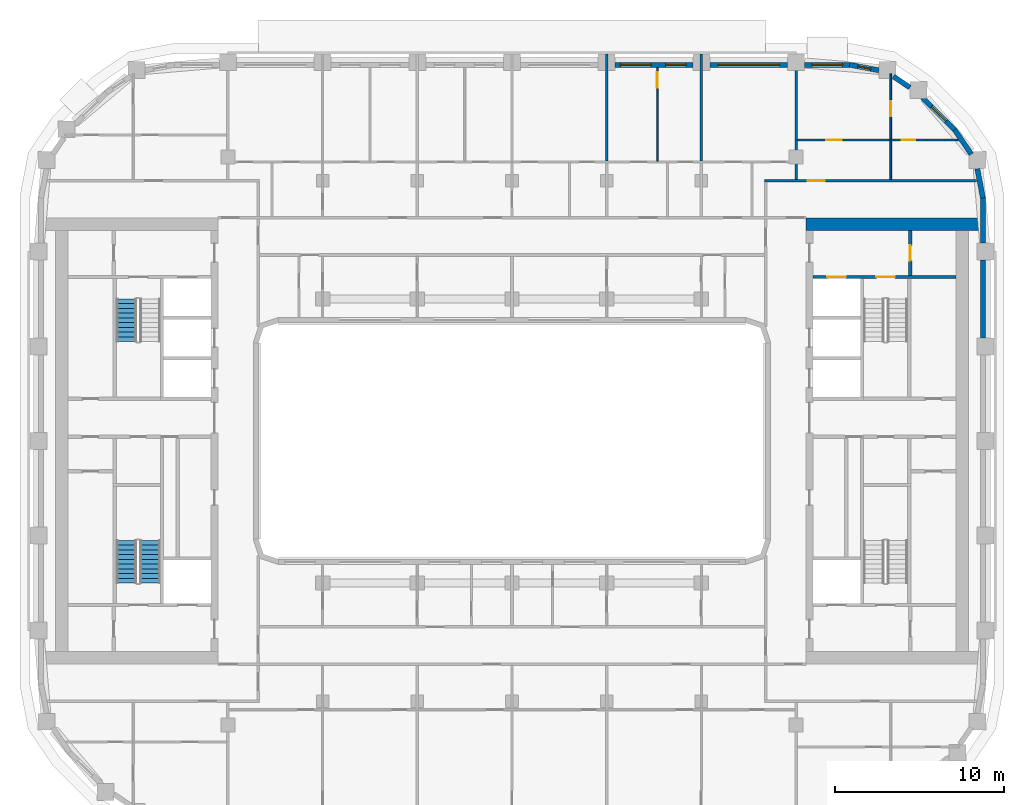
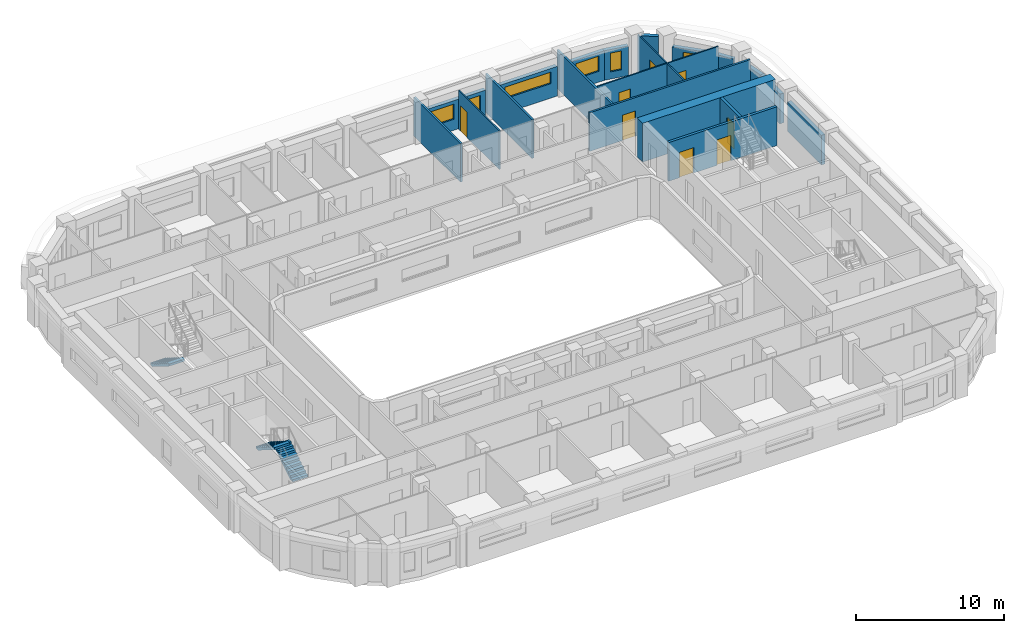
# One storey, part 9 of 22: 21 walls, 8 doors, 6 windows, 3 stair flights, 14 openings, 2 elements without a shape of their own.
"""IFC4 building model written with IfcOpenShell, lengths in metres."""

from ifc_helpers import new_model, si_unit, direction, frame, frame_2d, origin, place, context, subcontext, project, spatial, polyline, rectangle, outline, extrude, material, layer, layer_set, type_object, element, fill, aggregate, save


model = new_model("IFC4")

# Units and contexts
model_context = context("Model", 3, precision=1e-05, world=origin(), true_north=direction((0.0, 1.0)))
body_context = subcontext(model_context, "Body", "Model", "MODEL_VIEW")
ifc_project = project(units=[si_unit("LENGTHUNIT", "METRE"), si_unit("AREAUNIT", "SQUARE_METRE"), si_unit("VOLUMEUNIT", "CUBIC_METRE"), si_unit("PLANEANGLEUNIT", "RADIAN"), si_unit("MASSUNIT", "GRAM", prefix="KILO")], contexts=[model_context])

# Site, building, storey
site_placement = place(None, origin())
site = spatial("IfcSite", under=ifc_project, at=site_placement, CompositionType="ELEMENT")
building_placement = place(site_placement, origin())
building = spatial("IfcBuilding", under=site, at=building_placement, Name="Kiln Ring Residences", CompositionType="ELEMENT")
storey_placement = place(building_placement, frame((0.0, 0.0, 167.60009765625)))
storey = spatial("IfcBuildingStorey", under=building, at=storey_placement, Name="L43", CompositionType="ELEMENT", Elevation=167.60009765625)

# Wall, opening, door
ifc_material_1 = material(Name="Gypsum board on steel studs", Category="steel")
ifc_layer_1 = layer(ifc_material_1, 0.199951171875)
ifc_layer_set_1 = layer_set([ifc_layer_1], Name="CORE-PARTITION-200")
wall_type_1 = type_object("IfcWallType", Name="CORE-PARTITION-200", PredefinedType="PARTITIONING", material=ifc_layer_set_1)
wall_1_placement = place(storey_placement, frame((23.550048828125, 9.800048828125, 0.0), z_axis=(0.0, 0.0, 1.0), x_axis=(0.0, 1.0, 0.0)))
wall_1 = element("IfcWall", 1, at=wall_1_placement, inside=storey, type_object=wall_type_1, Name="Core partition east L43 4", PredefinedType="PARTITIONING", context=body_context, shape_type="SweptSolid", body=[
    extrude(rectangle(XDim=2.64990234375, YDim=0.199951171875, at=frame_2d((1.324951171875, 0.0))), origin(), (0.0, 0.0, 1.0), 3.199951171875),
])
opening_1_placement = place(wall_1_placement, frame((0.875, 0.0, 0.0)))
opening_1 = element("IfcOpeningElement", 2, at=opening_1_placement, cuts=wall_1, Name="Opening L43-CE09", PredefinedType="OPENING", context=body_context, shape_type="SweptSolid", body=[
    extrude(rectangle(XDim=0.89990234375, YDim=2.10009765625, at=frame_2d((0.449951171875, 1.050048828125))), frame((0.0, 0.10986328125, 0.0), z_axis=(0.0, -1.0, 0.0), x_axis=(1.0, 0.0, 0.0)), (0.0, 0.0, 1.0), 0.219970703125),
])
ifc_material_2 = material(Name="Steel door leaf", Category="steel")
door_type_1 = type_object("IfcDoorType", Name="CORE-DOOR-ROOM", OperationType="SINGLE_SWING_LEFT", PredefinedType="DOOR", material=ifc_material_2)
door_1_placement = place(opening_1_placement, origin())
door_1 = element("IfcDoor", 3, at=door_1_placement, inside=storey, type_object=door_type_1, Name="Fire riser room L43-CE09", OperationType="SINGLE_SWING_RIGHT", OverallHeight=2.10009765625, OverallWidth=0.89990234375, PredefinedType="DOOR", context=body_context, shape_type="SweptSolid", body=[
    extrude(rectangle(XDim=0.89990234375, YDim=2.10009765625, at=frame_2d((0.449951171875, 1.050048828125))), frame((0.0, 0.02490234375, 0.0), z_axis=(0.0, -1.0, 0.0), x_axis=(1.0, 0.0, 0.0)), (0.0, 0.0, 1.0), 0.050048828125),
])
fill(opening_1, door_1)

# Wall, openings, doors
ifc_material_3 = material(Name="Concrete C40/50", Category="concrete")
ifc_layer_2 = layer(ifc_material_3, 0.199951171875)
ifc_layer_set_2 = layer_set([ifc_layer_2], Name="CORE-WALL-RC200")
wall_type_2 = type_object("IfcWallType", Name="CORE-WALL-RC200", PredefinedType="SHEAR", material=ifc_layer_set_2)
wall_2_placement = place(storey_placement, frame((17.800048828125, 9.699951171875, 0.0), z_axis=(0.0, 0.0, 1.0), x_axis=(1.0, 0.0, 0.0)))
wall_2 = element("IfcWall", 4, at=wall_2_placement, inside=storey, type_object=wall_type_2, Name="Core wall east L43 9", PredefinedType="SHEAR", context=body_context, shape_type="SweptSolid", body=[
    extrude(rectangle(XDim=8.449951171875, YDim=0.199951171875, at=frame_2d((4.22509765625, 0.0))), origin(), (0.0, 0.0, 1.0), 3.199951171875),
])
opening_2_placement = place(wall_2_placement, frame((0.85009765625, 0.0, 0.0)))
opening_2 = element("IfcOpeningElement", 5, at=opening_2_placement, cuts=wall_2, Name="Opening L43-CE06", PredefinedType="OPENING", context=body_context, shape_type="SweptSolid", body=[
    extrude(rectangle(XDim=1.10009765625, YDim=2.10009765625, at=frame_2d((0.550048828125, 1.050048828125))), frame((0.0, 0.10986328125, 0.0), z_axis=(0.0, -1.0, 0.0), x_axis=(1.0, 0.0, 0.0)), (0.0, 0.0, 1.0), 0.219970703125),
])
opening_3_placement = place(wall_2_placement, frame((3.75, 0.0, 0.0)))
opening_3 = element("IfcOpeningElement", 6, at=opening_3_placement, cuts=wall_2, Name="Opening L43-CE11", PredefinedType="OPENING", context=body_context, shape_type="SweptSolid", body=[
    extrude(rectangle(XDim=1.10009765625, YDim=2.10009765625, at=frame_2d((0.550048828125, 1.050048828125))), frame((0.0, 0.10986328125, 0.0), z_axis=(0.0, -1.0, 0.0), x_axis=(1.0, 0.0, 0.0)), (0.0, 0.0, 1.0), 0.219970703125),
])
ifc_material_4 = material(Name="Steel door leaf", Category="steel")
door_type_2 = type_object("IfcDoorType", Name="CORE-DOOR-LD", OperationType="DOUBLE_DOOR_SLIDING", PredefinedType="DOOR", material=ifc_material_4)
door_2_placement = place(opening_2_placement, origin())
door_2 = element("IfcDoor", 7, at=door_2_placement, inside=storey, type_object=door_type_2, Name="LD E-FF L43-CE06", OperationType="DOUBLE_DOOR_SLIDING", OverallHeight=2.10009765625, OverallWidth=1.10009765625, PredefinedType="DOOR", context=body_context, shape_type="SweptSolid", body=[
    extrude(rectangle(XDim=1.10009765625, YDim=2.10009765625, at=frame_2d((0.550048828125, 1.050048828125))), frame((0.0, 0.02490234375, 0.0), z_axis=(0.0, -1.0, 0.0), x_axis=(1.0, 0.0, 0.0)), (0.0, 0.0, 1.0), 0.050048828125),
])
fill(opening_2, door_2)
ifc_material_5 = material(Name="Steel door leaf", Category="steel")
door_type_3 = type_object("IfcDoorType", Name="CORE-DOOR-STAIR", OperationType="SINGLE_SWING_LEFT", PredefinedType="DOOR", material=ifc_material_5)
door_3_placement = place(opening_3_placement, origin())
door_3 = element("IfcDoor", 8, at=door_3_placement, inside=storey, type_object=door_type_3, Name="Stair E-STN L43-CE11", OperationType="SINGLE_SWING_RIGHT", OverallHeight=2.10009765625, OverallWidth=1.10009765625, PredefinedType="DOOR", context=body_context, shape_type="SweptSolid", body=[
    extrude(rectangle(XDim=1.10009765625, YDim=2.10009765625, at=frame_2d((0.550048828125, 1.050048828125))), frame((0.0, 0.02490234375, 0.0), z_axis=(0.0, -1.0, 0.0), x_axis=(1.0, 0.0, 0.0)), (0.0, 0.0, 1.0), 0.050048828125),
])
fill(opening_3, door_3)

# Walls
ifc_material_6 = material(Name="Concrete C60/75", Category="concrete")
ifc_layer_3 = layer(ifc_material_6, 0.75)
ifc_layer_set_3 = layer_set([ifc_layer_3], Name="CORE-WALL-RC750")
wall_type_3 = type_object("IfcWallType", Name="CORE-WALL-RC750", PredefinedType="SHEAR", material=ifc_layer_set_3)
wall_3_placement = place(storey_placement, frame((17.39990234375, 12.824951171875, 0.0), z_axis=(0.0, 0.0, 1.0), x_axis=(1.0, 0.0, 0.0)))
element("IfcWall", 9, at=wall_3_placement, inside=storey, type_object=wall_type_3, Name="Core wall east L43 4", PredefinedType="SHEAR", context=body_context, shape_type="SweptSolid", body=[
    extrude(rectangle(XDim=10.400146484375, YDim=0.75, at=frame_2d((5.2001953125, 0.0))), origin(), (0.0, 0.0, 1.0), 3.199951171875),
])
ifc_material_7 = material(Name="Brick masonry, dark clay brick", Category="masonry")
ifc_layer_4 = layer(ifc_material_7, 0.300048828125)
ifc_layer_set_4 = layer_set([ifc_layer_4], Name="EW-300 BRICK WALL")
wall_type_4 = type_object("IfcWallType", Name="EW-300 BRICK WALL", PredefinedType="SOLIDWALL", material=ifc_layer_set_4)
wall_4_placement = place(storey_placement, frame((27.85009765625, 6.10009765625, 0.0), z_axis=(0.0, 0.0, 1.0), x_axis=(0.0, 1.0, 0.0)))
element("IfcWall", 10, at=wall_4_placement, inside=storey, type_object=wall_type_4, Name="Facade wall L43 21", PredefinedType="SOLIDWALL", context=body_context, shape_type="SweptSolid", body=[
    extrude(rectangle(XDim=4.599853515625, YDim=0.300048828125, at=frame_2d((2.2998046875, 0.0))), origin(), (0.0, 0.0, 1.0), 2.449951171875),
])
wall_5_placement = place(storey_placement, frame((27.85009765625, 11.699951171875, 0.0), z_axis=(0.0, 0.0, 1.0), x_axis=(0.0, 1.0, 0.0)))
element("IfcWall", 11, at=wall_5_placement, inside=storey, type_object=wall_type_4, Name="Facade wall L43 22", PredefinedType="SOLIDWALL", context=body_context, shape_type="SweptSolid", body=[
    extrude(rectangle(XDim=2.699951171875, YDim=0.300048828125, at=frame_2d((1.35009765625, 0.0))), origin(), (0.0, 0.0, 1.0), 2.449951171875),
])
for number, where, z_axis, x_axis, name in (
    (12, (27.8525390625, 14.371826171875, 0.0), (0.0, 0.0, 1.0), (-0.187259034321, 0.982310569049, 0.0), "Facade wall L43 23"),
    (13, (27.166015625, 16.96044921875, 0.0), (0.0, 0.0, 1.0), (-0.562089443061, 0.82707645233, 0.0), "Facade wall L43 24"),
):
    element("IfcWall", number, at=place(storey_placement, frame(where, z_axis=z_axis, x_axis=x_axis)), inside=storey, type_object=wall_type_4, Name=name, PredefinedType="SOLIDWALL", context=body_context, shape_type="SweptSolid", body=[
        extrude(rectangle(XDim=1.756103515625, YDim=0.300048828125, at=frame_2d((0.8779296875, 0.0))), origin(), (0.0, 0.0, 1.0), 2.449951171875),
    ])

# Wall, opening, window
wall_6_placement = place(storey_placement, frame((26.19677734375, 18.390869140625, 0.0), z_axis=(0.0, 0.0, 1.0), x_axis=(-0.707061571201, 0.707151988282, 0.0)))
wall_6 = element("IfcWall", 14, at=wall_6_placement, inside=storey, type_object=wall_type_4, Name="Facade wall L43 25", PredefinedType="SOLIDWALL", context=body_context, shape_type="SweptSolid", body=[
    extrude(rectangle(XDim=2.7001953125, YDim=0.300048828125, at=frame_2d((1.35009765625, 0.0))), origin(), (0.0, 0.0, 1.0), 2.449951171875),
])
opening_4_placement = place(wall_6_placement, frame((0.75, 0.0, 0.60009765625)))
opening_4 = element("IfcOpeningElement", 15, at=opening_4_placement, cuts=wall_6, Name="Opening W1", PredefinedType="OPENING", context=body_context, shape_type="SweptSolid", body=[
    extrude(rectangle(XDim=1.199951171875, YDim=1.550048828125, at=frame_2d((0.60009765625, 0.77490234375))), frame((0.0, 0.159912109375, 0.0), z_axis=(0.0, -1.0, 0.0), x_axis=(1.0, 0.0, 0.0)), (0.0, 0.0, 1.0), 0.320068359375),
])
ifc_material_8 = material(Name="Aluminium frame with double glazing", Category="aluminium")
window_type_1 = type_object("IfcWindowType", Name="WINDOW 1200 x 1550", PartitioningType="SINGLE_PANEL", PredefinedType="WINDOW", material=ifc_material_8)
window_1_placement = place(opening_4_placement, origin())
window_1 = element("IfcWindow", 16, at=window_1_placement, inside=storey, type_object=window_type_1, Name="Window L43 14", OverallHeight=1.550048828125, OverallWidth=1.199951171875, PartitioningType="SINGLE_PANEL", PredefinedType="WINDOW", context=body_context, shape_type="SweptSolid", body=[
    extrude(rectangle(XDim=1.199951171875, YDim=1.550048828125, at=frame_2d((0.60009765625, 0.77490234375))), frame((0.0, 0.030029296875, 0.0), z_axis=(0.0, -1.0, 0.0), x_axis=(1.0, 0.0, 0.0)), (0.0, 0.0, 1.0), 0.06005859375),
])
fill(opening_4, window_1)

# Wall
wall_7_placement = place(storey_placement, frame((23.533935546875, 20.904296875, 0.0), z_axis=(0.0, 0.0, 1.0), x_axis=(-0.827103906596, 0.56204904385, 0.0)))
element("IfcWall", 17, at=wall_7_placement, inside=storey, type_object=wall_type_4, Name="Facade wall L43 26", PredefinedType="SOLIDWALL", context=body_context, shape_type="SweptSolid", body=[
    extrude(rectangle(XDim=1.17724609375, YDim=0.300048828125, at=frame_2d((0.588623046875, 0.0))), origin(), (0.0, 0.0, 1.0), 3.199951171875),
])

# Wall, opening, window
wall_8_placement = place(storey_placement, frame((21.697021484375, 21.923583984375, 0.0), z_axis=(0.0, 0.0, 1.0), x_axis=(-0.982284988433, 0.187393173565, 0.0)))
wall_8 = element("IfcWall", 18, at=wall_8_placement, inside=storey, type_object=wall_type_4, Name="Facade wall L43 27", PredefinedType="SOLIDWALL", context=body_context, shape_type="SweptSolid", body=[
    extrude(rectangle(XDim=1.756103515625, YDim=0.300048828125, at=frame_2d((0.8779296875, 0.0))), origin(), (0.0, 0.0, 1.0), 2.449951171875),
])
opening_5_placement = place(wall_8_placement, frame((0.47802734375, 0.0, 0.60009765625)))
opening_5 = element("IfcOpeningElement", 19, at=opening_5_placement, cuts=wall_8, Name="Opening W5", PredefinedType="OPENING", context=body_context, shape_type="SweptSolid", body=[
    extrude(rectangle(XDim=0.800048828125, YDim=1.550048828125, at=frame_2d((0.39990234375, 0.77490234375))), frame((0.0, 0.159912109375, 0.0), z_axis=(0.0, -1.0, 0.0), x_axis=(1.0, 0.0, 0.0)), (0.0, 0.0, 1.0), 0.320068359375),
])
ifc_material_9 = material(Name="Aluminium frame with double glazing", Category="aluminium")
window_type_2 = type_object("IfcWindowType", Name="WINDOW 800 x 1550", PartitioningType="SINGLE_PANEL", PredefinedType="WINDOW", material=ifc_material_9)
window_2_placement = place(opening_5_placement, origin())
window_2 = element("IfcWindow", 20, at=window_2_placement, inside=storey, type_object=window_type_2, Name="Window L43 15", OverallHeight=1.550048828125, OverallWidth=0.800048828125, PartitioningType="SINGLE_PANEL", PredefinedType="WINDOW", context=body_context, shape_type="SweptSolid", body=[
    extrude(rectangle(XDim=0.800048828125, YDim=1.550048828125, at=frame_2d((0.39990234375, 0.77490234375))), frame((0.0, 0.030029296875, 0.0), z_axis=(0.0, -1.0, 0.0), x_axis=(1.0, 0.0, 0.0)), (0.0, 0.0, 1.0), 0.06005859375),
])
fill(opening_5, window_2)

wall_9_placement = place(storey_placement, frame((20.0, 22.25, 0.0), z_axis=(0.0, 0.0, 1.0), x_axis=(-1.0, 0.0, 0.0)))
wall_9 = element("IfcWall", 21, at=wall_9_placement, inside=storey, type_object=wall_type_4, Name="Facade wall L43 28", PredefinedType="SOLIDWALL", context=body_context, shape_type="SweptSolid", body=[
    extrude(rectangle(XDim=2.699951171875, YDim=0.300048828125, at=frame_2d((1.35009765625, 0.0))), origin(), (0.0, 0.0, 1.0), 2.449951171875),
])
opening_6_placement = place(wall_9_placement, frame((0.449951171875, 0.0, 0.89990234375)))
opening_6 = element("IfcOpeningElement", 22, at=opening_6_placement, cuts=wall_9, Name="Opening W2", PredefinedType="OPENING", context=body_context, shape_type="SweptSolid", body=[
    extrude(rectangle(XDim=1.800048828125, YDim=1.25, at=frame_2d((0.89990234375, 0.625))), frame((0.0, 0.159912109375, 0.0), z_axis=(0.0, -1.0, 0.0), x_axis=(1.0, 0.0, 0.0)), (0.0, 0.0, 1.0), 0.320068359375),
])
ifc_material_10 = material(Name="Aluminium frame with double glazing", Category="aluminium")
window_type_3 = type_object("IfcWindowType", Name="WINDOW 1800 x 1250", PartitioningType="SINGLE_PANEL", PredefinedType="WINDOW", material=ifc_material_10)
window_3_placement = place(opening_6_placement, origin())
window_3 = element("IfcWindow", 23, at=window_3_placement, inside=storey, type_object=window_type_3, Name="Window L43 16", OverallHeight=1.25, OverallWidth=1.800048828125, PartitioningType="SINGLE_PANEL", PredefinedType="WINDOW", context=body_context, shape_type="SweptSolid", body=[
    extrude(rectangle(XDim=1.800048828125, YDim=1.25, at=frame_2d((0.89990234375, 0.625))), frame((0.0, 0.030029296875, 0.0), z_axis=(0.0, -1.0, 0.0), x_axis=(1.0, 0.0, 0.0)), (0.0, 0.0, 1.0), 0.06005859375),
])
fill(opening_6, window_3)

wall_10_placement = place(storey_placement, frame((16.300048828125, 22.25, 0.0), z_axis=(0.0, 0.0, 1.0), x_axis=(-1.0, 0.0, 0.0)))
wall_10 = element("IfcWall", 24, at=wall_10_placement, inside=storey, type_object=wall_type_4, Name="Facade wall L43 29", PredefinedType="SOLIDWALL", context=body_context, shape_type="SweptSolid", body=[
    extrude(rectangle(XDim=4.60009765625, YDim=0.300048828125, at=frame_2d((2.300048828125, 0.0))), origin(), (0.0, 0.0, 1.0), 2.449951171875),
])
opening_7_placement = place(wall_10_placement, frame((0.5, 0.0, 1.199951171875)))
opening_7 = element("IfcOpeningElement", 25, at=opening_7_placement, cuts=wall_10, Name="Opening W4", PredefinedType="OPENING", context=body_context, shape_type="SweptSolid", body=[
    extrude(rectangle(XDim=3.60009765625, YDim=0.949951171875, at=frame_2d((1.800048828125, 0.47509765625))), frame((0.0, 0.159912109375, 0.0), z_axis=(0.0, -1.0, 0.0), x_axis=(1.0, 0.0, 0.0)), (0.0, 0.0, 1.0), 0.320068359375),
])
ifc_material_11 = material(Name="Aluminium frame with double glazing", Category="aluminium")
window_type_4 = type_object("IfcWindowType", Name="WINDOW 3600 x 950", PartitioningType="SINGLE_PANEL", PredefinedType="WINDOW", material=ifc_material_11)
window_4_placement = place(opening_7_placement, origin())
window_4 = element("IfcWindow", 26, at=window_4_placement, inside=storey, type_object=window_type_4, Name="Window L43 17", OverallHeight=0.949951171875, OverallWidth=3.60009765625, PartitioningType="SINGLE_PANEL", PredefinedType="WINDOW", context=body_context, shape_type="SweptSolid", body=[
    extrude(rectangle(XDim=3.60009765625, YDim=0.949951171875, at=frame_2d((1.800048828125, 0.47509765625))), frame((0.0, 0.030029296875, 0.0), z_axis=(0.0, -1.0, 0.0), x_axis=(1.0, 0.0, 0.0)), (0.0, 0.0, 1.0), 0.06005859375),
])
fill(opening_7, window_4)

# Wall, openings, windows
wall_11_placement = place(storey_placement, frame((10.699951171875, 22.25, 0.0), z_axis=(0.0, 0.0, 1.0), x_axis=(-1.0, 0.0, 0.0)))
wall_11 = element("IfcWall", 27, at=wall_11_placement, inside=storey, type_object=wall_type_4, Name="Facade wall L43 30", PredefinedType="SOLIDWALL", context=body_context, shape_type="SweptSolid", body=[
    extrude(rectangle(XDim=4.599853515625, YDim=0.300048828125, at=frame_2d((2.2998046875, 0.0))), origin(), (0.0, 0.0, 1.0), 2.449951171875),
])
opening_8_placement = place(wall_11_placement, frame((0.41259765625, 0.0, 0.60009765625)))
opening_8 = element("IfcOpeningElement", 28, at=opening_8_placement, cuts=wall_11, Name="Opening W1", PredefinedType="OPENING", context=body_context, shape_type="SweptSolid", body=[
    extrude(rectangle(XDim=1.199951171875, YDim=1.550048828125, at=frame_2d((0.60009765625, 0.77490234375))), frame((0.0, 0.159912109375, 0.0), z_axis=(0.0, -1.0, 0.0), x_axis=(1.0, 0.0, 0.0)), (0.0, 0.0, 1.0), 0.320068359375),
])
opening_9_placement = place(wall_11_placement, frame((2.487548828125, 0.0, 0.89990234375)))
opening_9 = element("IfcOpeningElement", 29, at=opening_9_placement, cuts=wall_11, Name="Opening W2", PredefinedType="OPENING", context=body_context, shape_type="SweptSolid", body=[
    extrude(rectangle(XDim=1.800048828125, YDim=1.25, at=frame_2d((0.89990234375, 0.625))), frame((0.0, 0.159912109375, 0.0), z_axis=(0.0, -1.0, 0.0), x_axis=(1.0, 0.0, 0.0)), (0.0, 0.0, 1.0), 0.320068359375),
])
window_5_placement = place(opening_8_placement, origin())
window_5 = element("IfcWindow", 30, at=window_5_placement, inside=storey, type_object=window_type_1, Name="Window L43 18", OverallHeight=1.550048828125, OverallWidth=1.199951171875, PartitioningType="SINGLE_PANEL", PredefinedType="WINDOW", context=body_context, shape_type="SweptSolid", body=[
    extrude(rectangle(XDim=1.199951171875, YDim=1.550048828125, at=frame_2d((0.60009765625, 0.77490234375))), frame((0.0, 0.030029296875, 0.0), z_axis=(0.0, -1.0, 0.0), x_axis=(1.0, 0.0, 0.0)), (0.0, 0.0, 1.0), 0.06005859375),
])
fill(opening_8, window_5)
window_6_placement = place(opening_9_placement, origin())
window_6 = element("IfcWindow", 31, at=window_6_placement, inside=storey, type_object=window_type_3, Name="Window L43 19", OverallHeight=1.25, OverallWidth=1.800048828125, PartitioningType="SINGLE_PANEL", PredefinedType="WINDOW", context=body_context, shape_type="SweptSolid", body=[
    extrude(rectangle(XDim=1.800048828125, YDim=1.25, at=frame_2d((0.89990234375, 0.625))), frame((0.0, 0.030029296875, 0.0), z_axis=(0.0, -1.0, 0.0), x_axis=(1.0, 0.0, 0.0)), (0.0, 0.0, 1.0), 0.06005859375),
])
fill(opening_9, window_6)

# Wall, openings, doors
ifc_material_12 = material(Name="Gypsum board on steel studs", Category="steel")
ifc_layer_5 = layer(ifc_material_12, 0.10009765625)
ifc_layer_set_5 = layer_set([ifc_layer_5], Name="PARTITION-100")
wall_type_5 = type_object("IfcWallType", Name="PARTITION-100", PredefinedType="PARTITIONING", material=ifc_layer_set_5)
wall_12_placement = place(storey_placement, frame((16.875, 17.800048828125, 0.0), z_axis=(0.0, 0.0, 1.0), x_axis=(1.0, 0.0, 0.0)))
wall_12 = element("IfcWall", 32, at=wall_12_placement, inside=storey, type_object=wall_type_5, Name="Partition 012", PredefinedType="PARTITIONING", context=body_context, shape_type="SweptSolid", body=[
    extrude(rectangle(XDim=9.51904296875, YDim=0.10009765625, at=frame_2d((4.759521484375, 0.0))), origin(), (0.0, 0.0, 1.0), 3.199951171875),
])
opening_10_placement = place(wall_12_placement, frame((6.175048828125, 0.0, 0.0)))
opening_10 = element("IfcOpeningElement", 33, at=opening_10_placement, cuts=wall_12, Name="Opening L43-D037", PredefinedType="OPENING", context=body_context, shape_type="SweptSolid", body=[
    extrude(rectangle(XDim=0.800048828125, YDim=2.10009765625, at=frame_2d((0.39990234375, 1.050048828125))), frame((0.0, 0.06005859375, 0.0), z_axis=(0.0, -1.0, 0.0), x_axis=(1.0, 0.0, 0.0)), (0.0, 0.0, 1.0), 0.1201171875),
])
opening_11_placement = place(wall_12_placement, frame((1.72509765625, 0.0, 0.0)))
opening_11 = element("IfcOpeningElement", 34, at=opening_11_placement, cuts=wall_12, Name="Opening L43-D038", PredefinedType="OPENING", context=body_context, shape_type="SweptSolid", body=[
    extrude(rectangle(XDim=0.89990234375, YDim=2.10009765625, at=frame_2d((0.449951171875, 1.050048828125))), frame((0.0, 0.06005859375, 0.0), z_axis=(0.0, -1.0, 0.0), x_axis=(1.0, 0.0, 0.0)), (0.0, 0.0, 1.0), 0.1201171875),
])
ifc_material_13 = material(Name="Timber door leaf", Category="wood")
door_type_4 = type_object("IfcDoorType", Name="FLAT-DOOR-800-PL", OperationType="SINGLE_SWING_LEFT", PredefinedType="DOOR", material=ifc_material_13)
door_4_placement = place(opening_10_placement, origin())
door_4 = element("IfcDoor", 35, at=door_4_placement, inside=storey, type_object=door_type_4, Name="Door L43-D037", OperationType="SINGLE_SWING_LEFT", OverallHeight=2.10009765625, OverallWidth=0.800048828125, PredefinedType="DOOR", context=body_context, shape_type="SweptSolid", body=[
    extrude(rectangle(XDim=0.800048828125, YDim=2.10009765625, at=frame_2d((0.39990234375, 1.050048828125))), frame((0.0, 0.02490234375, 0.0), z_axis=(0.0, -1.0, 0.0), x_axis=(1.0, 0.0, 0.0)), (0.0, 0.0, 1.0), 0.050048828125),
])
fill(opening_10, door_4)
ifc_material_14 = material(Name="Timber door leaf", Category="wood")
door_type_5 = type_object("IfcDoorType", Name="FLAT-DOOR-900-PL", OperationType="SINGLE_SWING_LEFT", PredefinedType="DOOR", material=ifc_material_14)
door_5_placement = place(opening_11_placement, origin())
door_5 = element("IfcDoor", 36, at=door_5_placement, inside=storey, type_object=door_type_5, Name="Door L43-D038", OperationType="SINGLE_SWING_RIGHT", OverallHeight=2.10009765625, OverallWidth=0.89990234375, PredefinedType="DOOR", context=body_context, shape_type="SweptSolid", body=[
    extrude(rectangle(XDim=0.89990234375, YDim=2.10009765625, at=frame_2d((0.449951171875, 1.050048828125))), frame((0.0, 0.02490234375, 0.0), z_axis=(0.0, -1.0, 0.0), x_axis=(1.0, 0.0, 0.0)), (0.0, 0.0, 1.0), 0.050048828125),
])
fill(opening_11, door_5)

# Wall, opening, door
wall_13_placement = place(storey_placement, frame((8.60009765625, 16.550048828125, 0.0), z_axis=(0.0, 0.0, 1.0), x_axis=(0.0, 1.0, 0.0)))
wall_13 = element("IfcWall", 37, at=wall_13_placement, inside=storey, type_object=wall_type_5, Name="Partition 055", PredefinedType="PARTITIONING", context=body_context, shape_type="SweptSolid", body=[
    extrude(rectangle(XDim=5.530029296875, YDim=0.10009765625, at=frame_2d((2.76513671875, 0.0))), origin(), (0.0, 0.0, 1.0), 3.199951171875),
])
opening_12_placement = place(wall_13_placement, frame((4.35009765625, 0.0, 0.0)))
opening_12 = element("IfcOpeningElement", 38, at=opening_12_placement, cuts=wall_13, Name="Opening L43-D032", PredefinedType="OPENING", context=body_context, shape_type="SweptSolid", body=[
    extrude(rectangle(XDim=0.89990234375, YDim=2.10009765625, at=frame_2d((0.449951171875, 1.050048828125))), frame((0.0, 0.06005859375, 0.0), z_axis=(0.0, -1.0, 0.0), x_axis=(1.0, 0.0, 0.0)), (0.0, 0.0, 1.0), 0.1201171875),
])
door_6_placement = place(opening_12_placement, origin())
door_6 = element("IfcDoor", 39, at=door_6_placement, inside=storey, type_object=door_type_5, Name="Door L43-D032", OperationType="SINGLE_SWING_RIGHT", OverallHeight=2.10009765625, OverallWidth=0.89990234375, PredefinedType="DOOR", context=body_context, shape_type="SweptSolid", body=[
    extrude(rectangle(XDim=0.89990234375, YDim=2.10009765625, at=frame_2d((0.449951171875, 1.050048828125))), frame((0.0, 0.02490234375, 0.0), z_axis=(0.0, -1.0, 0.0), x_axis=(1.0, 0.0, 0.0)), (0.0, 0.0, 1.0), 0.050048828125),
])
fill(opening_12, door_6)

# Wall
wall_14_placement = place(storey_placement, frame((22.39990234375, 15.47509765625, 0.0), z_axis=(0.0, 0.0, 1.0), x_axis=(0.0, 1.0, 0.0)))
element("IfcWall", 40, at=wall_14_placement, inside=storey, type_object=wall_type_5, Name="Partition 073", PredefinedType="PARTITIONING", context=body_context, shape_type="SweptSolid", body=[
    extrude(rectangle(XDim=2.27490234375, YDim=0.10009765625, at=frame_2d((1.137451171875, 0.0))), origin(), (0.0, 0.0, 1.0), 3.199951171875),
])

# Wall, opening, door
wall_15_placement = place(storey_placement, frame((22.39990234375, 17.85009765625, 0.0), z_axis=(0.0, 0.0, 1.0), x_axis=(0.0, 1.0, 0.0)))
wall_15 = element("IfcWall", 41, at=wall_15_placement, inside=storey, type_object=wall_type_5, Name="Partition 074", PredefinedType="PARTITIONING", context=body_context, shape_type="SweptSolid", body=[
    extrude(rectangle(XDim=3.869873046875, YDim=0.10009765625, at=frame_2d((1.93505859375, 0.0))), origin(), (0.0, 0.0, 1.0), 3.199951171875),
])
opening_13_placement = place(wall_15_placement, frame((1.35009765625, 0.0, 0.0)))
opening_13 = element("IfcOpeningElement", 42, at=opening_13_placement, cuts=wall_15, Name="Opening L43-D039", PredefinedType="OPENING", context=body_context, shape_type="SweptSolid", body=[
    extrude(rectangle(XDim=0.89990234375, YDim=2.10009765625, at=frame_2d((0.449951171875, 1.050048828125))), frame((0.0, 0.06005859375, 0.0), z_axis=(0.0, -1.0, 0.0), x_axis=(1.0, 0.0, 0.0)), (0.0, 0.0, 1.0), 0.1201171875),
])
door_7_placement = place(opening_13_placement, origin())
door_7 = element("IfcDoor", 43, at=door_7_placement, inside=storey, type_object=door_type_5, Name="Door L43-D039", OperationType="SINGLE_SWING_LEFT", OverallHeight=2.10009765625, OverallWidth=0.89990234375, PredefinedType="DOOR", context=body_context, shape_type="SweptSolid", body=[
    extrude(rectangle(XDim=0.89990234375, YDim=2.10009765625, at=frame_2d((0.449951171875, 1.050048828125))), frame((0.0, 0.02490234375, 0.0), z_axis=(0.0, -1.0, 0.0), x_axis=(1.0, 0.0, 0.0)), (0.0, 0.0, 1.0), 0.050048828125),
])
fill(opening_13, door_7)

ifc_material_15 = material(Name="Brick masonry partition", Category="masonry")
ifc_layer_6 = layer(ifc_material_15, 0.14990234375)
ifc_layer_set_6 = layer_set([ifc_layer_6], Name="PARTITION-150-ei60")
wall_type_6 = type_object("IfcWallType", Name="PARTITION-150-ei60", PredefinedType="PARTITIONING", material=ifc_layer_set_6)
wall_16_placement = place(storey_placement, frame((14.925048828125, 15.39990234375, 0.0), z_axis=(0.0, 0.0, 1.0), x_axis=(1.0, 0.0, 0.0)))
wall_16 = element("IfcWall", 44, at=wall_16_placement, inside=storey, type_object=wall_type_6, Name="Partition 010", PredefinedType="PARTITIONING", context=body_context, shape_type="SweptSolid", body=[
    extrude(rectangle(XDim=12.558837890625, YDim=0.14990234375, at=frame_2d((6.279296875, 0.0))), origin(), (0.0, 0.0, 1.0), 3.199951171875),
])
opening_14_placement = place(wall_16_placement, frame((2.574951171875, 0.0, 0.0)))
opening_14 = element("IfcOpeningElement", 45, at=opening_14_placement, cuts=wall_16, Name="Opening L43-D036", PredefinedType="OPENING", context=body_context, shape_type="SweptSolid", body=[
    extrude(rectangle(XDim=1.0, YDim=2.10009765625, at=frame_2d((0.5, 1.050048828125))), frame((0.0, 0.0849609375, 0.0), z_axis=(0.0, -1.0, 0.0), x_axis=(1.0, 0.0, 0.0)), (0.0, 0.0, 1.0), 0.169921875),
])
ifc_material_16 = material(Name="Steel faced fire door leaf", Category="steel")
door_type_6 = type_object("IfcDoorType", Name="FLAT-DOOR-1000-FR", OperationType="SINGLE_SWING_LEFT", PredefinedType="DOOR", material=ifc_material_16)
door_8_placement = place(opening_14_placement, origin())
door_8 = element("IfcDoor", 46, at=door_8_placement, inside=storey, type_object=door_type_6, Name="Door L43-D036", OperationType="SINGLE_SWING_RIGHT", OverallHeight=2.10009765625, OverallWidth=1.0, PredefinedType="DOOR", context=body_context, shape_type="SweptSolid", body=[
    extrude(rectangle(XDim=1.0, YDim=2.10009765625, at=frame_2d((0.5, 1.050048828125))), frame((0.0, 0.02490234375, 0.0), z_axis=(0.0, -1.0, 0.0), x_axis=(1.0, 0.0, 0.0)), (0.0, 0.0, 1.0), 0.050048828125),
])
fill(opening_14, door_8)

# Walls
for number, where, z_axis, x_axis, name in (
    (47, (5.60009765625, 16.550048828125, 0.0), (0.0, 0.0, 1.0), (0.0, 1.0, 0.0), "Partition 054"),
    (48, (11.199951171875, 16.550048828125, 0.0), (0.0, 0.0, 1.0), (0.0, 1.0, 0.0), "Partition 062"),
):
    element("IfcWall", number, at=place(storey_placement, frame(where, z_axis=z_axis, x_axis=x_axis)), inside=storey, type_object=wall_type_6, Name=name, PredefinedType="PARTITIONING", context=body_context, shape_type="SweptSolid", body=[
        extrude(rectangle(XDim=6.329833984375, YDim=0.14990234375, at=frame_2d((3.1650390625, 0.0))), origin(), (0.0, 0.0, 1.0), 3.199951171875),
    ])
wall_17_placement = place(storey_placement, frame((16.800048828125, 15.47509765625, 0.0), z_axis=(0.0, 0.0, 1.0), x_axis=(0.0, 1.0, 0.0)))
element("IfcWall", 49, at=wall_17_placement, inside=storey, type_object=wall_type_6, Name="Partition 070", PredefinedType="PARTITIONING", context=body_context, shape_type="SweptSolid", body=[
    extrude(rectangle(XDim=7.40478515625, YDim=0.14990234375, at=frame_2d((3.702392578125, 0.0))), origin(), (0.0, 0.0, 1.0), 3.199951171875),
])

# Stair, stair flight
ifc_material_17 = material(Name="Concrete C40/50", Category="concrete")
stair_type = type_object("IfcStairType", Name="CORE-STAIR", PredefinedType="HALF_TURN_STAIR", material=ifc_material_17)
placement = place(storey_placement, origin())
stair_1 = element("IfcStair", 50, at=placement, inside=storey, type_object=stair_type, Name="L43 stair W-STN", PredefinedType="HALF_TURN_STAIR")
ifc_material_18 = material(Name="Concrete C40/50", Category="concrete")
stair_flight_type = type_object("IfcStairFlightType", Name="CORE-STAIR-FLIGHT", PredefinedType="STRAIGHT", material=ifc_material_18)
stair_flight_1_placement = place(storey_placement, frame((-22.800048828125, 8.39990234375, 0.0), z_axis=(0.0, 0.0, 1.0), x_axis=(0.0, -1.0, 0.0)))
stair_flight_1 = element("IfcStairFlight", 51, at=stair_flight_1_placement, type_object=stair_flight_type, Name="W-STN flight 1", NumberOfRisers=10, NumberOfTreads=9, PredefinedType="STRAIGHT", RiserHeight=0.175, TreadLength=0.28, context=body_context, shape_type="SweptSolid", body=[
    extrude(outline(polyline([(0.0, 0.0), (0.0, 0.175048828125), (0.280029296875, 0.175048828125), (0.280029296875, 0.35009765625), (0.56005859375, 0.35009765625), (0.56005859375, 0.52490234375), (0.840087890625, 0.52490234375), (0.840087890625, 0.699951171875), (1.1201171875, 0.699951171875), (1.1201171875, 0.875), (1.39990234375, 0.875), (1.39990234375, 1.050048828125), (1.679931640625, 1.050048828125), (1.679931640625, 1.22509765625), (1.9599609375, 1.22509765625), (1.9599609375, 1.39990234375), (2.239990234375, 1.39990234375), (2.239990234375, 1.574951171875), (2.52001953125, 1.574951171875), (2.52001953125, 1.75), (2.52001953125, 1.398193359375), (0.28271484375, 0.0), (0.0, 0.0)])), frame((0.0, 0.60009765625, 0.0), z_axis=(0.0, -1.0, 0.0), x_axis=(1.0, 0.0, 0.0)), (0.0, 0.0, 1.0), 1.199951171875),
])
aggregate(stair_1, [stair_flight_1])

# Stair, stair flights
stair_2 = element("IfcStair", 52, at=placement, inside=storey, type_object=stair_type, Name="L43 stair W-STS", PredefinedType="HALF_TURN_STAIR")
stair_flight_2_placement = place(storey_placement, frame((-21.39990234375, -8.39990234375, 0.0), z_axis=(0.0, 0.0, 1.0), x_axis=(0.0, 1.0, 0.0)))
stair_flight_2 = element("IfcStairFlight", 53, at=stair_flight_2_placement, type_object=stair_flight_type, Name="W-STS flight 1", NumberOfRisers=10, NumberOfTreads=9, PredefinedType="STRAIGHT", RiserHeight=0.175, TreadLength=0.28, context=body_context, shape_type="SweptSolid", body=[
    extrude(outline(polyline([(0.0, 0.0), (0.0, 0.175048828125), (0.280029296875, 0.175048828125), (0.280029296875, 0.35009765625), (0.56005859375, 0.35009765625), (0.56005859375, 0.52490234375), (0.840087890625, 0.52490234375), (0.840087890625, 0.699951171875), (1.1201171875, 0.699951171875), (1.1201171875, 0.875), (1.39990234375, 0.875), (1.39990234375, 1.050048828125), (1.679931640625, 1.050048828125), (1.679931640625, 1.22509765625), (1.9599609375, 1.22509765625), (1.9599609375, 1.39990234375), (2.239990234375, 1.39990234375), (2.239990234375, 1.574951171875), (2.52001953125, 1.574951171875), (2.52001953125, 1.75), (2.52001953125, 1.398193359375), (0.28271484375, 0.0), (0.0, 0.0)])), frame((0.0, 0.60009765625, 0.0), z_axis=(0.0, -1.0, 0.0), x_axis=(1.0, 0.0, 0.0)), (0.0, 0.0, 1.0), 1.199951171875),
])
stair_flight_3_placement = place(storey_placement, frame((-22.800048828125, -5.8798828125, 1.75), z_axis=(0.0, 0.0, 1.0), x_axis=(0.0, -1.0, 0.0)))
stair_flight_3 = element("IfcStairFlight", 54, at=stair_flight_3_placement, type_object=stair_flight_type, Name="W-STS flight 2", NumberOfRisers=10, NumberOfTreads=9, PredefinedType="STRAIGHT", RiserHeight=0.175, TreadLength=0.28, context=body_context, shape_type="SweptSolid", body=[
    extrude(outline(polyline([(0.0, 0.0), (0.0, 0.175048828125), (0.280029296875, 0.175048828125), (0.280029296875, 0.35009765625), (0.56005859375, 0.35009765625), (0.56005859375, 0.52490234375), (0.840087890625, 0.52490234375), (0.840087890625, 0.699951171875), (1.1201171875, 0.699951171875), (1.1201171875, 0.875), (1.39990234375, 0.875), (1.39990234375, 1.050048828125), (1.679931640625, 1.050048828125), (1.679931640625, 1.22509765625), (1.9599609375, 1.22509765625), (1.9599609375, 1.39990234375), (2.239990234375, 1.39990234375), (2.239990234375, 1.574951171875), (2.52001953125, 1.574951171875), (2.52001953125, 1.75), (2.52001953125, 1.398193359375), (0.28271484375, 0.0), (0.0, 0.0)])), frame((0.0, 0.60009765625, 0.0), z_axis=(0.0, -1.0, 0.0), x_axis=(1.0, 0.0, 0.0)), (0.0, 0.0, 1.0), 1.199951171875),
])
aggregate(stair_2, [stair_flight_2, stair_flight_3])

save(model, "model.ifc")
